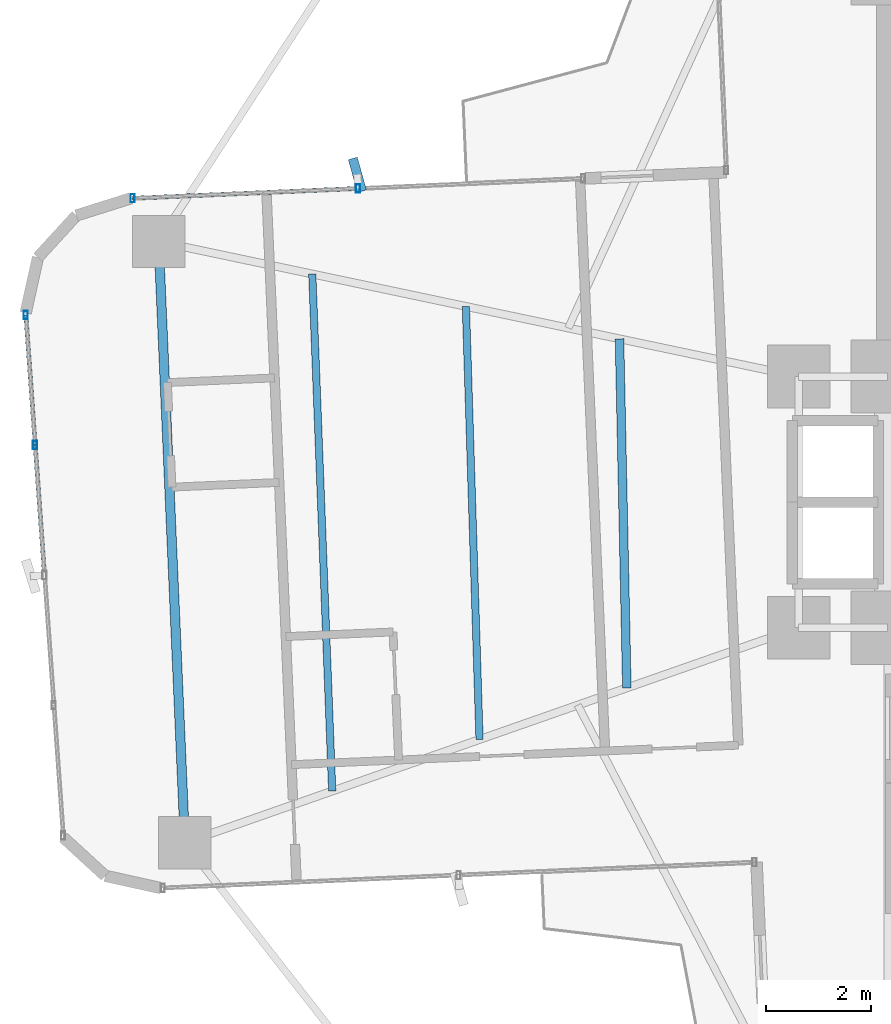
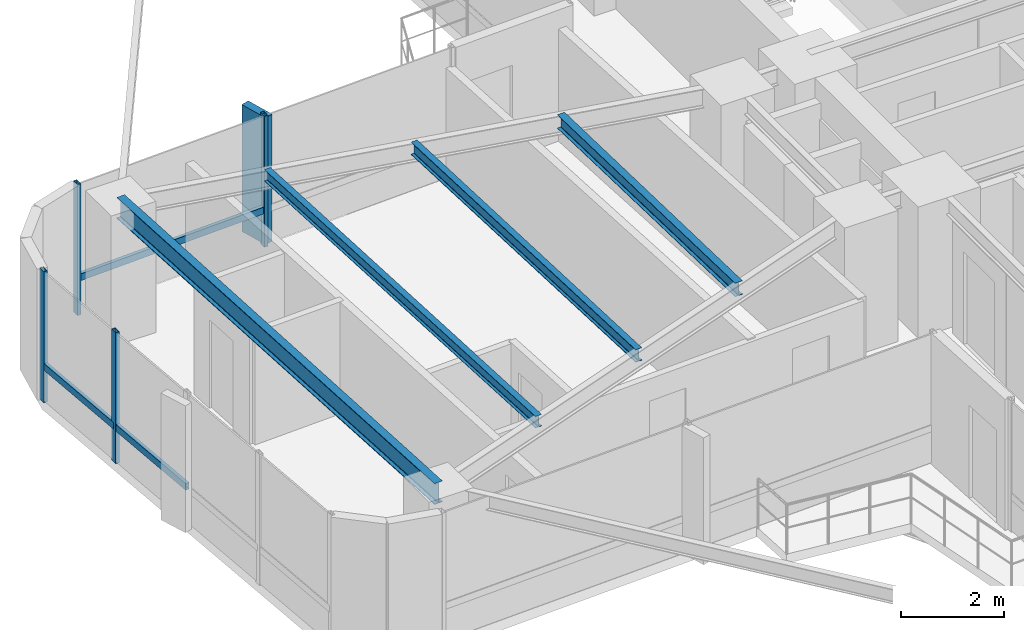
# One storey, part 9 of 26: 8 members, 4 beams, 2 elements without a shape of their own.
"""IFC4 building model written with IfcOpenShell, lengths in metres."""

from ifc_helpers import new_model, si_unit, direction, frame, origin, origin_2d, place, context, subcontext, project, spatial, rectangle, hollow_rectangle, i_section, extrude, source, transform, mapped, material, material_profile, profile_set, type_object, element, aggregate, save


model = new_model("IFC4")

# Units and contexts
model_context = context("Model", 3, precision=1e-05, world=origin(), true_north=direction((0.0, 1.0)))
body_context = subcontext(model_context, "Body", "Model", "MODEL_VIEW")
ifc_project = project(units=[si_unit("LENGTHUNIT", "METRE"), si_unit("AREAUNIT", "SQUARE_METRE"), si_unit("VOLUMEUNIT", "CUBIC_METRE"), si_unit("PLANEANGLEUNIT", "RADIAN"), si_unit("MASSUNIT", "GRAM", prefix="KILO")], contexts=[model_context])

# Site, building, storey
site_placement = place(None, origin())
site = spatial("IfcSite", under=ifc_project, at=site_placement, CompositionType="ELEMENT")
building_placement = place(site_placement, origin())
building = spatial("IfcBuilding", under=site, at=building_placement, Name="Sahyath Konkavel Grand Hotel", CompositionType="ELEMENT")
storey_placement = place(building_placement, frame((0.0, 0.0, 83.5)))
storey = spatial("IfcBuildingStorey", under=building, at=storey_placement, Name="L22", CompositionType="ELEMENT", Elevation=83.5)

# Beams
ifc_material_1 = material(Name="Steel E350", Category="steel")
ifc_material_profile_1 = material_profile(ifc_material_1, i_section(OverallWidth=0.179931640625, OverallDepth=0.5, WebThickness=0.01025390625, FlangeThickness=0.01708984375, FilletRadius=0.01708984375, at=origin_2d()), Name="ISMB 500")
ifc_profile_set_1 = profile_set([ifc_material_profile_1], Name="Steel E350")
beam_type_1 = type_object("IfcBeamType", Name="BM-ISMB500", PredefinedType="BEAM", material=ifc_profile_set_1)
shared_shape_1 = source(origin(), body_context, "Body", "SweptSolid", [
    extrude(i_section(OverallWidth=0.179931640625, OverallDepth=0.5, WebThickness=0.01025390625, FlangeThickness=0.01708984375, FilletRadius=0.01708984375, at=origin_2d()), origin(), (0.0, 0.0, 1.0), 11.5),
])
beam_1_placement = place(storey_placement, frame((-17.734130859375, 4.981201171875, 2.860107421875), z_axis=(0.043627008892, -0.99904788879, 0.0), x_axis=(0.99904788879, 0.043627008892, 0.0)))
element("IfcBeam", 1, at=beam_1_placement, inside=storey, type_object=beam_type_1, Name="L22 Wing Tip Edge Beam W", PredefinedType="BEAM", context=body_context, shape_type="MappedRepresentation", body=[
    mapped(shared_shape_1, transform((0.0, 0.0, 0.0), scale=1.0)),
])
ifc_material_profile_2 = material_profile(ifc_material_1, i_section(OverallWidth=0.1650390625, OverallDepth=0.324951171875, WebThickness=0.007080078125, FlangeThickness=0.009765625, FilletRadius=0.014892578125, at=origin_2d()), Name="ISLB 325")
ifc_profile_set_2 = profile_set([ifc_material_profile_2], Name="Steel E350")
beam_type_2 = type_object("IfcBeamType", Name="BM-ISLB325", PredefinedType="BEAM", material=ifc_profile_set_2)
shared_shape_2 = source(origin(), body_context, "Body", "SweptSolid", [
    extrude(i_section(OverallWidth=0.1650390625, OverallDepth=0.324951171875, WebThickness=0.007080078125, FlangeThickness=0.009765625, FilletRadius=0.014892578125, at=origin_2d()), origin(), (0.0, 0.0, 1.0), 6.674560546875),
])
beam_2_placement = place(storey_placement, frame((-8.925537109375, 3.122802734375, 2.947509765625), z_axis=(0.021032188543, -0.999778799058, 0.0), x_axis=(0.999778799058, 0.021032188543, 0.0)))
element("IfcBeam", 2, at=beam_2_placement, inside=storey, type_object=beam_type_2, Name="L22 Secondary Floor Beam W-1", PredefinedType="BEAM", context=body_context, shape_type="MappedRepresentation", body=[
    mapped(shared_shape_2, transform((0.0, 0.0, 0.0), scale=1.0)),
])
ifc_material_profile_3 = material_profile(ifc_material_1, i_section(OverallWidth=0.139892578125, OverallDepth=0.300048828125, WebThickness=0.0078125, FlangeThickness=0.01318359375, FilletRadius=0.013916015625, at=origin_2d()), Name="ISMB 300")
ifc_profile_set_3 = profile_set([ifc_material_profile_3], Name="Steel E350")
beam_type_3 = type_object("IfcBeamType", Name="BM-ISMB300", PredefinedType="BEAM", material=ifc_profile_set_3)
shared_shape_3 = source(origin(), body_context, "Body", "SweptSolid", [
    extrude(i_section(OverallWidth=0.139892578125, OverallDepth=0.300048828125, WebThickness=0.0078125, FlangeThickness=0.01318359375, FilletRadius=0.013916015625, at=origin_2d()), origin(), (0.0, 0.0, 1.0), 8.282470703125),
])
beam_3_placement = place(storey_placement, frame((-11.86181640625, 3.7421875, 2.9599609375), z_axis=(0.031510827707, -0.999503410568, 0.0), x_axis=(0.999503410568, 0.031510827707, 0.0)))
element("IfcBeam", 3, at=beam_3_placement, inside=storey, type_object=beam_type_3, Name="L22 Secondary Floor Beam W-2", PredefinedType="BEAM", context=body_context, shape_type="MappedRepresentation", body=[
    mapped(shared_shape_3, transform((0.0, 0.0, 0.0), scale=1.0)),
])
ifc_material_profile_4 = material_profile(ifc_material_1, i_section(OverallWidth=0.139892578125, OverallDepth=0.27490234375, WebThickness=0.00634765625, FlangeThickness=0.0087890625, FilletRadius=0.012939453125, at=origin_2d()), Name="ISLB 275")
ifc_profile_set_4 = profile_set([ifc_material_profile_4], Name="Steel E350")
beam_type_4 = type_object("IfcBeamType", Name="BM-ISLB275", PredefinedType="BEAM", material=ifc_profile_set_4)
shared_shape_4 = source(origin(), body_context, "Body", "SweptSolid", [
    extrude(i_section(OverallWidth=0.139892578125, OverallDepth=0.27490234375, WebThickness=0.00634765625, FlangeThickness=0.0087890625, FilletRadius=0.012939453125, at=origin_2d()), origin(), (0.0, 0.0, 1.0), 9.89111328125),
])
beam_4_placement = place(storey_placement, frame((-14.798095703125, 4.36181640625, 2.972412109375), z_axis=(0.03855445741, -0.999256500511, 0.0), x_axis=(0.999256500511, 0.03855445741, 0.0)))
element("IfcBeam", 4, at=beam_4_placement, inside=storey, type_object=beam_type_4, Name="L22 Secondary Floor Beam W-3", PredefinedType="BEAM", context=body_context, shape_type="MappedRepresentation", body=[
    mapped(shared_shape_4, transform((0.0, 0.0, 0.0), scale=1.0)),
])

# Curtain wall, members
ifc_material_2 = material(Name="Anodised Bronze Aluminium & Low-E Glazing", Category="aluminium")
curtain_wall_type = type_object("IfcCurtainWallType", Name="CW-ZONE2", PredefinedType="NOTDEFINED", material=ifc_material_2)
curtain_wall_1_placement = place(storey_placement, origin())
curtain_wall_1 = element("IfcCurtainWall", 5, at=curtain_wall_1_placement, inside=storey, type_object=curtain_wall_type, Name="L22 Unitised Curtain Wall F16", PredefinedType="NOTDEFINED")
ifc_material_3 = material(Name="Warm Buff Sandstone Cladding on Concrete C50/60", Category="masonry")
ifc_material_profile_5 = material_profile(ifc_material_3, rectangle(XDim=0.179931640625, YDim=0.64990234375, at=origin_2d()), Name="FIN 180x650")
ifc_profile_set_5 = profile_set([ifc_material_profile_5], Name="Warm Buff Sandstone Cladding on Concrete C50/60")
member_type_1 = type_object("IfcMemberType", Name="FIN-SANDSTONE-650", PredefinedType="MULLION", material=ifc_profile_set_5)
shared_shape_5 = source(origin(), body_context, "Body", "SweptSolid", [
    extrude(rectangle(XDim=0.179931640625, YDim=0.64990234375, at=origin_2d()), origin(), (0.0, 0.0, 1.0), 3.010009765625),
])
member_1_placement = place(storey_placement, frame((-13.936279296875, 6.258056640625, 0.050048828125), z_axis=(0.0, 0.0, 1.0), x_axis=(0.962974590644, 0.269592169347, 0.0)))
member_1 = element("IfcMember", 6, at=member_1_placement, type_object=member_type_1, Name="L22 Sandstone Vertical Solar Fin FIN F16-1", PredefinedType="MULLION", context=body_context, shape_type="MappedRepresentation", body=[
    mapped(shared_shape_5, transform((0.0, 0.0, 0.0), scale=1.0)),
])
ifc_material_4 = material(Name="Anodised Bronze Aluminium", Category="aluminium")
ifc_material_profile_6 = material_profile(ifc_material_4, hollow_rectangle(XDim=0.080078125, YDim=0.159912109375, WallThickness=0.006103515625, at=origin_2d()), Name="RHS 160x80x6")
ifc_profile_set_6 = profile_set([ifc_material_profile_6], Name="Anodised Bronze Aluminium")
member_type_2 = type_object("IfcMemberType", Name="CW-MUL-160", PredefinedType="MULLION", material=ifc_profile_set_6)
shared_shape_6 = source(origin(), body_context, "Body", "SweptSolid", [
    extrude(hollow_rectangle(XDim=0.080078125, YDim=0.159912109375, WallThickness=0.006103515625, at=origin_2d()), origin(), (0.0, 0.0, 1.0), 3.110107421875),
])
member_2_placement = place(storey_placement, frame((-13.9248046875, 5.998291015625, 0.0), z_axis=(0.0, 0.0, 1.0), x_axis=(1.0, 0.0, 0.0)))
member_2 = element("IfcMember", 7, at=member_2_placement, type_object=member_type_2, Name="L22 Curtain Wall Mullion F16-1", PredefinedType="MULLION", context=body_context, shape_type="MappedRepresentation", body=[
    mapped(shared_shape_6, transform((0.0, 0.0, 0.0), scale=1.0)),
])
member_3_placement = place(storey_placement, frame((-18.230712890625, 5.810302734375, 0.0), z_axis=(0.0, 0.0, 1.0), x_axis=(1.0, 0.0, 0.0)))
member_3 = element("IfcMember", 8, at=member_3_placement, type_object=member_type_2, Name="L22 Curtain Wall Mullion F16-2", PredefinedType="MULLION", context=body_context, shape_type="MappedRepresentation", body=[
    mapped(shared_shape_6, transform((0.0, 0.0, 0.0), scale=1.0)),
])

curtain_wall_2_placement = place(storey_placement, origin())
curtain_wall_2 = element("IfcCurtainWall", 9, at=curtain_wall_2_placement, inside=storey, type_object=curtain_wall_type, Name="L22 Unitised Curtain Wall F20", PredefinedType="NOTDEFINED")
member_4_placement = place(storey_placement, frame((-20.2744140625, 3.5791015625, 0.0), z_axis=(0.0, 0.0, 1.0), x_axis=(1.0, 0.0, 0.0)))
member_4 = element("IfcMember", 10, at=member_4_placement, type_object=member_type_2, Name="L22 Curtain Wall Mullion F20-0", PredefinedType="MULLION", context=body_context, shape_type="MappedRepresentation", body=[
    mapped(shared_shape_6, transform((0.0, 0.0, 0.0), scale=1.0)),
])
member_5_placement = place(storey_placement, frame((-20.095947265625, 1.092041015625, 0.0), z_axis=(0.0, 0.0, 1.0), x_axis=(1.0, 0.0, 0.0)))
member_5 = element("IfcMember", 11, at=member_5_placement, type_object=member_type_2, Name="L22 Curtain Wall Mullion F20-1", PredefinedType="MULLION", context=body_context, shape_type="MappedRepresentation", body=[
    mapped(shared_shape_6, transform((0.0, 0.0, 0.0), scale=1.0)),
])

# Member
ifc_material_profile_7 = material_profile(ifc_material_4, hollow_rectangle(XDim=0.080078125, YDim=0.159912109375, WallThickness=0.006103515625, at=origin_2d()), Name="RHS 160x80x6")
ifc_profile_set_7 = profile_set([ifc_material_profile_7], Name="Anodised Bronze Aluminium")
member_type_3 = type_object("IfcMemberType", Name="CW-TRN-160", PredefinedType="USERDEFINED", material=ifc_profile_set_7)
shared_shape_7 = source(origin(), body_context, "Body", "SweptSolid", [
    extrude(hollow_rectangle(XDim=0.080078125, YDim=0.159912109375, WallThickness=0.006103515625, at=origin_2d()), origin(), (0.0, 0.0, 1.0), 4.31005859375),
])
member_6_placement = place(storey_placement, frame((-13.9248046875, 5.998291015625, 0.85009765625), z_axis=(-0.999048340188, -0.043616670746, 0.0), x_axis=(0.043616670746, -0.999048340188, 0.0)))
member_6 = element("IfcMember", 12, at=member_6_placement, type_object=member_type_3, Name="L22 Curtain Wall Transom F16-1-spandrel", ObjectType="TRANSOM", PredefinedType="USERDEFINED", context=body_context, shape_type="MappedRepresentation", body=[
    mapped(shared_shape_7, transform((0.0, 0.0, 0.0), scale=1.0)),
])

aggregate(curtain_wall_1, [member_2, member_1, member_3, member_6])

shared_shape_8 = source(origin(), body_context, "Body", "SweptSolid", [
    extrude(hollow_rectangle(XDim=0.080078125, YDim=0.159912109375, WallThickness=0.006103515625, at=origin_2d()), origin(), (0.0, 0.0, 1.0), 2.493408203125),
])
member_7_placement = place(storey_placement, frame((-20.2744140625, 3.5791015625, 0.85009765625), z_axis=(0.071574084062, -0.997435286367, 0.0), x_axis=(0.997435286367, 0.071574084062, 0.0)))
member_7 = element("IfcMember", 13, at=member_7_placement, type_object=member_type_3, Name="L22 Curtain Wall Transom F20-0-spandrel", ObjectType="TRANSOM", PredefinedType="USERDEFINED", context=body_context, shape_type="MappedRepresentation", body=[
    mapped(shared_shape_8, transform((0.0, 0.0, 0.0), scale=1.0)),
])

member_8_placement = place(storey_placement, frame((-20.095947265625, 1.092041015625, 0.85009765625), z_axis=(0.071574084062, -0.997435286367, 0.0), x_axis=(0.997435286367, 0.071574084062, 0.0)))
member_8 = element("IfcMember", 14, at=member_8_placement, type_object=member_type_3, Name="L22 Curtain Wall Transom F20-1-spandrel", ObjectType="TRANSOM", PredefinedType="USERDEFINED", context=body_context, shape_type="MappedRepresentation", body=[
    mapped(shared_shape_8, transform((0.0, 0.0, 0.0), scale=1.0)),
])

aggregate(curtain_wall_2, [member_4, member_5, member_7, member_8])

save(model, "model.ifc")
